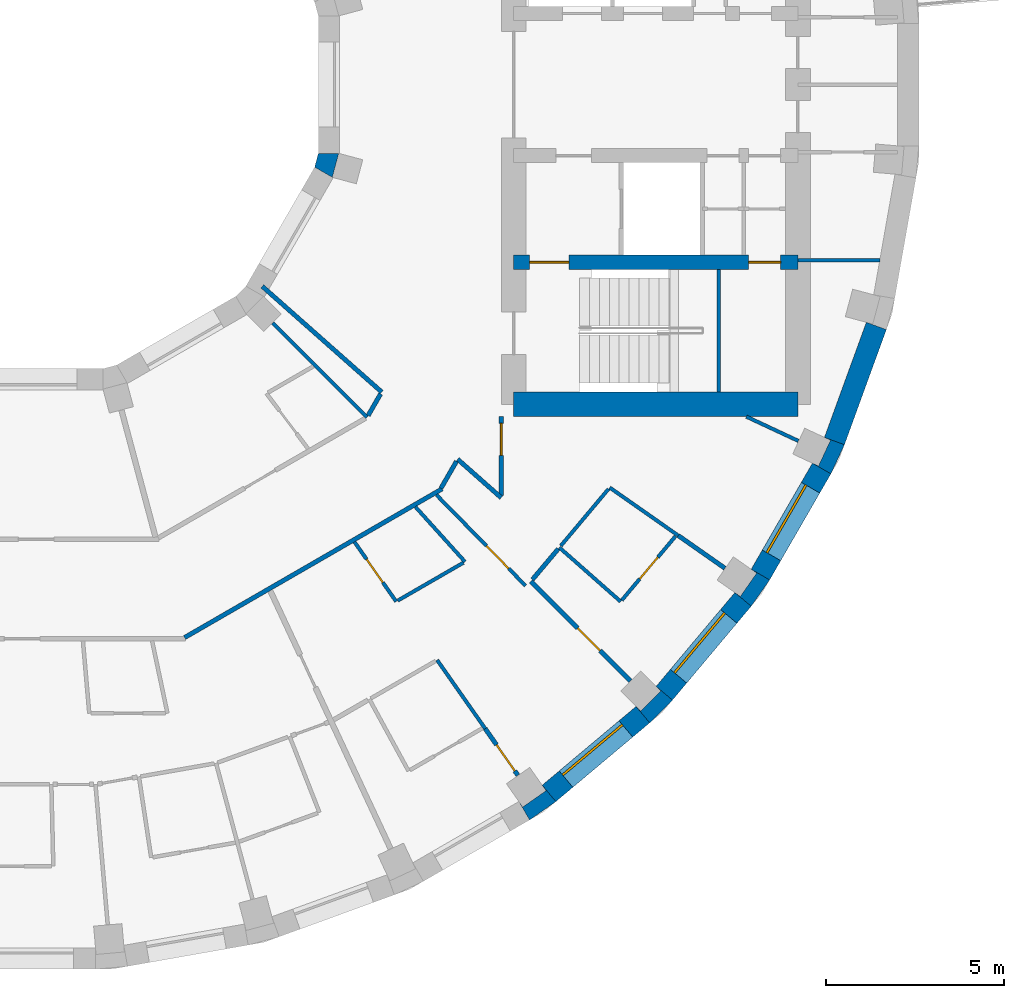
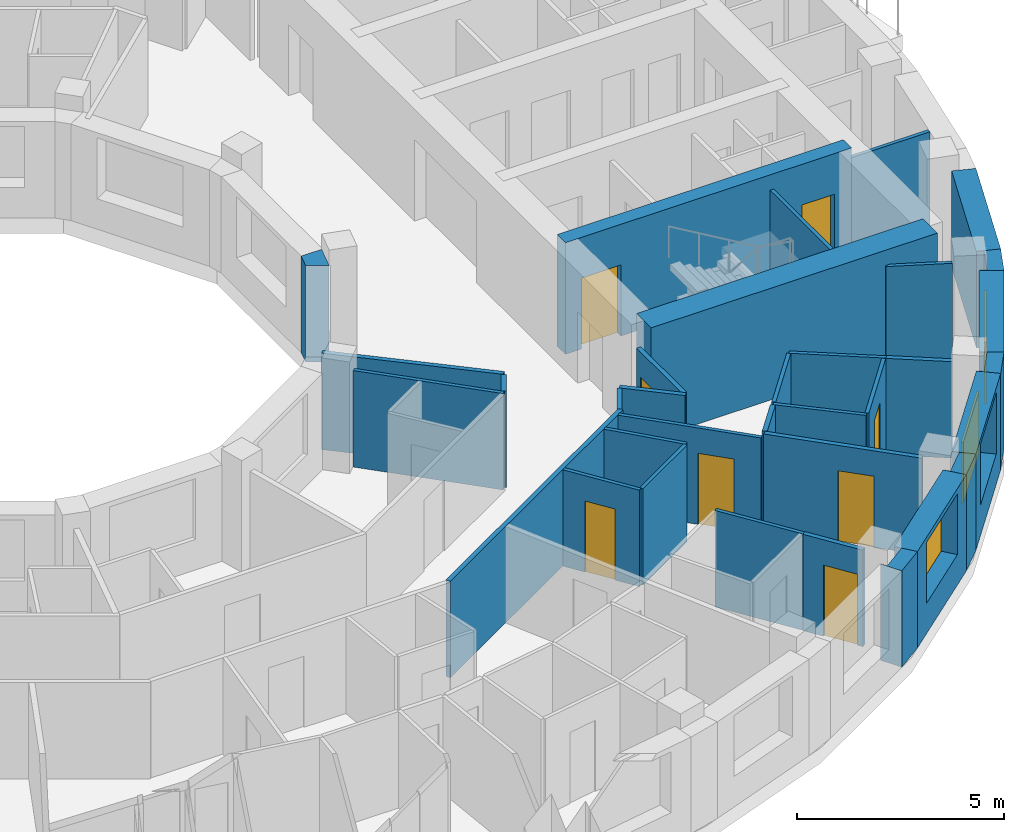
# One storey, part 8 of 15: 34 walls, 8 doors, 3 windows, 11 openings.
"""IFC4 building model written with IfcOpenShell, lengths in metres."""

from ifc_helpers import new_model, si_unit, direction, frame, frame_2d, origin, place, context, subcontext, project, spatial, polyline, rectangle, outline, extrude, material, layer, layer_set, type_object, element, fill, save


model = new_model("IFC4")

# Units and contexts
model_context = context("Model", 3, precision=1e-05, world=origin(), true_north=direction((0.0, 1.0)))
body_context = subcontext(model_context, "Body", "Model", "MODEL_VIEW")
ifc_project = project(units=[si_unit("LENGTHUNIT", "METRE"), si_unit("AREAUNIT", "SQUARE_METRE"), si_unit("VOLUMEUNIT", "CUBIC_METRE"), si_unit("PLANEANGLEUNIT", "RADIAN"), si_unit("MASSUNIT", "GRAM", prefix="KILO")], contexts=[model_context])

# Site, building, storey
site_placement = place(None, origin())
site = spatial("IfcSite", under=ifc_project, at=site_placement, CompositionType="ELEMENT")
building_placement = place(site_placement, origin())
building = spatial("IfcBuilding", under=site, at=building_placement, Name="Saqina Gate Tower", CompositionType="ELEMENT")
storey_placement = place(building_placement, frame((0.0, 0.0, 190.5)))
storey = spatial("IfcBuildingStorey", under=building, at=storey_placement, Name="L54", CompositionType="ELEMENT", Elevation=190.5)

# Walls
ifc_material_1 = material(Name="Brick masonry (buff)", Category="masonry")
wall_type_1 = type_object("IfcWallType", Name="BRICK PIER COPING BUFF", PredefinedType="SOLIDWALL", material=ifc_material_1)
wall_1_placement = place(storey_placement, origin())
element("IfcWall", 1, at=wall_1_placement, inside=storey, type_object=wall_type_1, Name="Pier cap L54 column 31", PredefinedType="SOLIDWALL", context=body_context, shape_type="SweptSolid", body=[
    extrude(outline(polyline([(13.9462890625, -20.705810546875), (14.687255859375, -20.18701171875), (14.301513671875, -19.727294921875), (14.408935546875, -19.880859375), (13.753662109375, -20.339599609375), (13.646240234375, -20.186279296875), (13.9462890625, -20.705810546875)])), origin(), (0.0, 0.0, 1.0), 2.85009765625),
])
wall_2_placement = place(storey_placement, origin())
element("IfcWall", 2, at=wall_2_placement, inside=storey, type_object=wall_type_1, Name="Pier cap L54 column 32", PredefinedType="SOLIDWALL", context=body_context, shape_type="SweptSolid", body=[
    extrude(outline(polyline([(17.969482421875, -17.329833984375), (17.510009765625, -16.944091796875), (17.642333984375, -17.07666015625), (17.07666015625, -17.642333984375), (16.944091796875, -17.510009765625), (17.329833984375, -17.969482421875), (17.969482421875, -17.329833984375)])), origin(), (0.0, 0.0, 1.0), 2.85009765625),
])
wall_3_placement = place(storey_placement, origin())
element("IfcWall", 3, at=wall_3_placement, inside=storey, type_object=wall_type_1, Name="Pier cap L54 column 33", PredefinedType="SOLIDWALL", context=body_context, shape_type="SweptSolid", body=[
    extrude(outline(polyline([(20.18701171875, -14.687255859375), (20.705810546875, -13.9462890625), (20.186279296875, -13.646240234375), (20.339599609375, -13.753662109375), (19.880859375, -14.408935546875), (19.727294921875, -14.301513671875), (20.18701171875, -14.687255859375)])), origin(), (0.0, 0.0, 1.0), 2.85009765625),
])
wall_4_placement = place(storey_placement, origin())
element("IfcWall", 4, at=wall_4_placement, inside=storey, type_object=wall_type_1, Name="Pier cap L54 column 34", PredefinedType="SOLIDWALL", context=body_context, shape_type="SweptSolid", body=[
    extrude(outline(polyline([(22.81298828125, -10.138916015625), (22.249267578125, -9.93359375), (22.4189453125, -10.0126953125), (22.080810546875, -10.73779296875), (21.9111328125, -10.65869140625), (22.4306640625, -10.958740234375), (22.81298828125, -10.138916015625)])), origin(), (0.0, 0.0, 1.0), 2.85009765625),
])
ifc_material_2 = material(Name="Gypsum board on steel studs", Category="steel")
ifc_layer_1 = layer(ifc_material_2, 0.10009765625)
ifc_layer_set_1 = layer_set([ifc_layer_1], Name="CORE PARTITION")
wall_type_2 = type_object("IfcWallType", Name="CORE PARTITION", PredefinedType="PARTITIONING", material=ifc_layer_set_1)
wall_5_placement = place(storey_placement, frame((21.5, -4.949951171875, 0.0), z_axis=(0.0, 0.0, 1.0), x_axis=(1.0, 0.0, 0.0)))
element("IfcWall", 5, at=wall_5_placement, inside=storey, type_object=wall_type_2, Name="L54-CP-E03", PredefinedType="PARTITIONING", context=body_context, shape_type="SweptSolid", body=[
    extrude(rectangle(XDim=2.306884765625, YDim=0.10009765625, at=frame_2d((1.1533203125, 0.0))), origin(), (0.0, 0.0, 1.0), 2.85009765625),
])

# Wall, opening, window
ifc_material_3 = material(Name="Brick masonry (buff)", Category="masonry")
ifc_layer_2 = layer(ifc_material_3, 0.60009765625)
ifc_layer_set_2 = layer_set([ifc_layer_2], Name="FW-BRICK-BUFF")
wall_type_3 = type_object("IfcWallType", Name="FW-BRICK-BUFF", PredefinedType="SOLIDWALL", material=ifc_layer_set_2)
wall_6_placement = place(storey_placement, frame((14.494384765625, -19.95703125, 0.0), z_axis=(0.0, 0.0, 1.0), x_axis=(0.766058884809, 0.642770398358, 0.0)))
wall_6 = element("IfcWall", 6, at=wall_6_placement, inside=storey, type_object=wall_type_3, Name="Facade wall L54 facet 31", PredefinedType="SOLIDWALL", context=body_context, shape_type="SweptSolid", body=[
    extrude(rectangle(XDim=3.449462890625, YDim=0.60009765625, at=frame_2d((1.724609375, 0.0))), origin(), (0.0, 0.0, 1.0), 2.85009765625),
])
opening_1_placement = place(wall_6_placement, frame((0.625, 0.0, 0.89990234375)))
opening_1 = element("IfcOpeningElement", 7, at=opening_1_placement, cuts=wall_6, Name="Opening G16-W20", PredefinedType="OPENING", context=body_context, shape_type="SweptSolid", body=[
    extrude(rectangle(XDim=2.199951171875, YDim=1.800048828125, at=frame_2d((1.10009765625, 0.89990234375))), frame((0.0, 0.31201171875, 0.0), z_axis=(0.0, -1.0, 0.0), x_axis=(1.0, 0.0, 0.0)), (0.0, 0.0, 1.0), 0.6240234375),
])
ifc_material_4 = material(Name="Aluminium glazing", Category="aluminium")
window_type = type_object("IfcWindowType", Name="WN-C", PartitioningType="SINGLE_PANEL", PredefinedType="WINDOW", material=ifc_material_4)
window_1_placement = place(opening_1_placement, origin())
window_1 = element("IfcWindow", 8, at=window_1_placement, inside=storey, type_object=window_type, Name="Window L54 facet 31", OverallHeight=1.800048828125, OverallWidth=2.199951171875, PartitioningType="SINGLE_PANEL", PredefinedType="WINDOW", context=body_context, shape_type="SweptSolid", body=[
    extrude(rectangle(XDim=2.199951171875, YDim=1.800048828125, at=frame_2d((1.10009765625, 0.89990234375))), frame((0.0, 0.179931640625, 0.0), z_axis=(0.0, -1.0, 0.0), x_axis=(1.0, 0.0, 0.0)), (0.0, 0.0, 1.0), 0.06005859375),
])
fill(opening_1, window_1)

wall_7_placement = place(storey_placement, frame((17.73974609375, -17.136962890625, 0.0), z_axis=(0.0, 0.0, 1.0), x_axis=(0.642770398358, 0.766058884809, 0.0)))
wall_7 = element("IfcWall", 9, at=wall_7_placement, inside=storey, type_object=wall_type_3, Name="Facade wall L54 facet 32", PredefinedType="SOLIDWALL", context=body_context, shape_type="SweptSolid", body=[
    extrude(rectangle(XDim=3.449462890625, YDim=0.60009765625, at=frame_2d((1.724609375, 0.0))), origin(), (0.0, 0.0, 1.0), 2.85009765625),
])
opening_2_placement = place(wall_7_placement, frame((0.625, 0.0, 0.89990234375)))
opening_2 = element("IfcOpeningElement", 10, at=opening_2_placement, cuts=wall_7, Name="Opening G16-W21", PredefinedType="OPENING", context=body_context, shape_type="SweptSolid", body=[
    extrude(rectangle(XDim=2.199951171875, YDim=1.800048828125, at=frame_2d((1.10009765625, 0.89990234375))), frame((0.0, 0.31201171875, 0.0), z_axis=(0.0, -1.0, 0.0), x_axis=(1.0, 0.0, 0.0)), (0.0, 0.0, 1.0), 0.6240234375),
])
window_2_placement = place(opening_2_placement, origin())
window_2 = element("IfcWindow", 11, at=window_2_placement, inside=storey, type_object=window_type, Name="Window L54 facet 32", OverallHeight=1.800048828125, OverallWidth=2.199951171875, PartitioningType="SINGLE_PANEL", PredefinedType="WINDOW", context=body_context, shape_type="SweptSolid", body=[
    extrude(rectangle(XDim=2.199951171875, YDim=1.800048828125, at=frame_2d((1.10009765625, 0.89990234375))), frame((0.0, 0.179931640625, 0.0), z_axis=(0.0, -1.0, 0.0), x_axis=(1.0, 0.0, 0.0)), (0.0, 0.0, 1.0), 0.06005859375),
])
fill(opening_2, window_2)

wall_8_placement = place(storey_placement, frame((20.446044921875, -13.796142578125, 0.0), z_axis=(0.0, 0.0, 1.0), x_axis=(0.499998129301, 0.86602648383, 0.0)))
wall_8 = element("IfcWall", 12, at=wall_8_placement, inside=storey, type_object=wall_type_3, Name="Facade wall L54 facet 33", PredefinedType="SOLIDWALL", context=body_context, shape_type="SweptSolid", body=[
    extrude(rectangle(XDim=3.44970703125, YDim=0.60009765625, at=frame_2d((1.724853515625, 0.0))), origin(), (0.0, 0.0, 1.0), 2.85009765625),
])
opening_3_placement = place(wall_8_placement, frame((0.625, 0.0, 0.89990234375)))
opening_3 = element("IfcOpeningElement", 13, at=opening_3_placement, cuts=wall_8, Name="Opening G16-W22", PredefinedType="OPENING", context=body_context, shape_type="SweptSolid", body=[
    extrude(rectangle(XDim=2.199951171875, YDim=1.800048828125, at=frame_2d((1.10009765625, 0.89990234375))), frame((0.0, 0.31201171875, 0.0), z_axis=(0.0, -1.0, 0.0), x_axis=(1.0, 0.0, 0.0)), (0.0, 0.0, 1.0), 0.6240234375),
])
window_3_placement = place(opening_3_placement, origin())
window_3 = element("IfcWindow", 14, at=window_3_placement, inside=storey, type_object=window_type, Name="Window L54 facet 33", OverallHeight=1.800048828125, OverallWidth=2.199951171875, PartitioningType="SINGLE_PANEL", PredefinedType="WINDOW", context=body_context, shape_type="SweptSolid", body=[
    extrude(rectangle(XDim=2.199951171875, YDim=1.800048828125, at=frame_2d((1.10009765625, 0.89990234375))), frame((0.0, 0.179931640625, 0.0), z_axis=(0.0, -1.0, 0.0), x_axis=(1.0, 0.0, 0.0)), (0.0, 0.0, 1.0), 0.06005859375),
])
fill(opening_3, window_3)

# Walls
ifc_material_5 = material(Name="Glazed ceramic tile (white)", Category="ceramic")
ifc_layer_3 = layer(ifc_material_5, 0.60009765625)
ifc_layer_set_3 = layer_set([ifc_layer_3], Name="FW-TILE-WH")
wall_type_4 = type_object("IfcWallType", Name="FW-TILE-WH", PredefinedType="SOLIDWALL", material=ifc_layer_set_3)
wall_9_placement = place(storey_placement, frame((22.531005859375, -10.0361328125, 0.0), z_axis=(0.0, 0.0, 1.0), x_axis=(0.342032843455, 0.93968799822, 0.0)))
element("IfcWall", 15, at=wall_9_placement, inside=storey, type_object=wall_type_4, Name="Facade wall L54 facet 34", PredefinedType="SOLIDWALL", context=body_context, shape_type="SweptSolid", body=[
    extrude(rectangle(XDim=3.44970703125, YDim=0.60009765625, at=frame_2d((1.724853515625, 0.0))), origin(), (0.0, 0.0, 1.0), 2.85009765625),
])
ifc_material_6 = material(Name="Gypsum board on steel studs, 100 mm", Category="steel")
ifc_layer_4 = layer(ifc_material_6, 0.10009765625)
ifc_layer_set_4 = layer_set([ifc_layer_4], Name="PARTITION 100")
wall_type_5 = type_object("IfcWallType", Name="PARTITION 100", PredefinedType="PARTITIONING", material=ifc_layer_set_4)
wall_10_placement = place(storey_placement, frame((11.344970703125, -16.202880859375, 0.0), z_axis=(0.0, 0.0, 1.0), x_axis=(0.573823443789, -0.818979032307, 0.0)))
element("IfcWall", 16, at=wall_10_placement, inside=storey, type_object=wall_type_5, Name="PARTITION PW3-17", PredefinedType="PARTITIONING", context=body_context, shape_type="SweptSolid", body=[
    extrude(rectangle(XDim=2.359130859375, YDim=0.10009765625, at=frame_2d((1.1796875, 0.0))), origin(), (0.0, 0.0, 1.0), 2.85009765625),
])

# Wall, opening, door
wall_11_placement = place(storey_placement, frame((9.018798828125, -12.8798828125, 0.0), z_axis=(0.0, 0.0, 1.0), x_axis=(0.573550536535, -0.819170178925, 0.0)))
wall_11 = element("IfcWall", 17, at=wall_11_placement, inside=storey, type_object=wall_type_5, Name="PARTITION PW3-19", PredefinedType="PARTITIONING", context=body_context, shape_type="SweptSolid", body=[
    extrude(rectangle(XDim=2.043701171875, YDim=0.10009765625, at=frame_2d((1.02197265625, 0.0))), origin(), (0.0, 0.0, 1.0), 2.85009765625),
])
opening_4_placement = place(wall_11_placement, frame((0.589599609375, 0.0, 0.0)))
opening_4 = element("IfcOpeningElement", 18, at=opening_4_placement, cuts=wall_11, Name="Opening G16-D56", PredefinedType="OPENING", context=body_context, shape_type="SweptSolid", body=[
    extrude(rectangle(XDim=0.800048828125, YDim=2.10009765625, at=frame_2d((0.39990234375, 1.050048828125))), frame((0.0, 0.06201171875, 0.0), z_axis=(0.0, -1.0, 0.0), x_axis=(1.0, 0.0, 0.0)), (0.0, 0.0, 1.0), 0.1240234375),
])
ifc_material_7 = material(Name="Timber door leaf, 800 mm", Category="wood")
door_type_1 = type_object("IfcDoorType", Name="DOOR 800 TIMBER", OperationType="SINGLE_SWING_LEFT", PredefinedType="DOOR", material=ifc_material_7)
door_1_placement = place(opening_4_placement, frame((0.800048828125, 0.0, 0.0), z_axis=(0.0, 0.0, 1.0), x_axis=(-1.0, 0.0, 0.0)))
door_1 = element("IfcDoor", 19, at=door_1_placement, inside=storey, type_object=door_type_1, Name="DOOR G16-D56", OperationType="SINGLE_SWING_RIGHT", OverallHeight=2.10009765625, OverallWidth=0.800048828125, PredefinedType="DOOR", context=body_context, shape_type="SweptSolid", body=[
    extrude(rectangle(XDim=0.800048828125, YDim=2.10009765625, at=frame_2d((0.39990234375, 1.050048828125))), frame((0.0, 0.02490234375, 0.0), z_axis=(0.0, -1.0, 0.0), x_axis=(1.0, 0.0, 0.0)), (0.0, 0.0, 1.0), 0.050048828125),
])
fill(opening_4, door_1)

# Wall
wall_12_placement = place(storey_placement, frame((10.732177734375, -11.8876953125, 0.0), z_axis=(0.0, 0.0, 1.0), x_axis=(0.670051109138, -0.742314967613, 0.0)))
element("IfcWall", 20, at=wall_12_placement, inside=storey, type_object=wall_type_5, Name="PARTITION PW3-25", PredefinedType="PARTITIONING", context=body_context, shape_type="SweptSolid", body=[
    extrude(rectangle(XDim=2.08447265625, YDim=0.10009765625, at=frame_2d((1.042236328125, 0.0))), origin(), (0.0, 0.0, 1.0), 2.85009765625),
])

# Wall, opening, door
wall_13_placement = place(storey_placement, frame((11.320556640625, -11.54736328125, 0.0), z_axis=(0.0, 0.0, 1.0), x_axis=(0.700209333058, -0.713937595241, 0.0)))
wall_13 = element("IfcWall", 21, at=wall_13_placement, inside=storey, type_object=wall_type_5, Name="PARTITION PW3-26", PredefinedType="PARTITIONING", context=body_context, shape_type="SweptSolid", body=[
    extrude(rectangle(XDim=3.59228515625, YDim=0.10009765625, at=frame_2d((1.796142578125, 0.0))), origin(), (0.0, 0.0, 1.0), 2.85009765625),
])
opening_5_placement = place(wall_13_placement, frame((2.01416015625, 0.0, 0.0)))
opening_5 = element("IfcOpeningElement", 22, at=opening_5_placement, cuts=wall_13, Name="Opening G16-D59", PredefinedType="OPENING", context=body_context, shape_type="SweptSolid", body=[
    extrude(rectangle(XDim=0.89990234375, YDim=2.10009765625, at=frame_2d((0.449951171875, 1.050048828125))), frame((0.0, 0.06201171875, 0.0), z_axis=(0.0, -1.0, 0.0), x_axis=(1.0, 0.0, 0.0)), (0.0, 0.0, 1.0), 0.1240234375),
])
ifc_material_8 = material(Name="Timber door leaf, 900 mm", Category="wood")
door_type_2 = type_object("IfcDoorType", Name="DOOR 900 TIMBER", OperationType="SINGLE_SWING_LEFT", PredefinedType="DOOR", material=ifc_material_8)
door_2_placement = place(opening_5_placement, frame((0.89990234375, 0.0, 0.0), z_axis=(0.0, 0.0, 1.0), x_axis=(-1.0, 0.0, 0.0)))
door_2 = element("IfcDoor", 23, at=door_2_placement, inside=storey, type_object=door_type_2, Name="DOOR G16-D59", OperationType="SINGLE_SWING_RIGHT", OverallHeight=2.10009765625, OverallWidth=0.89990234375, PredefinedType="DOOR", context=body_context, shape_type="SweptSolid", body=[
    extrude(rectangle(XDim=0.89990234375, YDim=2.10009765625, at=frame_2d((0.449951171875, 1.050048828125))), frame((0.0, 0.02490234375, 0.0), z_axis=(0.0, -1.0, 0.0), x_axis=(1.0, 0.0, 0.0)), (0.0, 0.0, 1.0), 0.050048828125),
])
fill(opening_5, door_2)

# Walls
wall_14_placement = place(storey_placement, frame((6.7119140625, -6.7119140625, 0.0), z_axis=(0.0, 0.0, 1.0), x_axis=(0.707106781187, -0.707106781187, 0.0)))
element("IfcWall", 24, at=wall_14_placement, inside=storey, type_object=wall_type_5, Name="PARTITION PW3-28", PredefinedType="PARTITIONING", context=body_context, shape_type="SweptSolid", body=[
    extrude(rectangle(XDim=3.75927734375, YDim=0.10009765625, at=frame_2d((1.879638671875, 0.0))), origin(), (0.0, 0.0, 1.0), 2.85009765625),
])
wall_15_placement = place(storey_placement, frame((14.785888671875, -13.033935546875, 0.0), z_axis=(0.0, 0.0, 1.0), x_axis=(0.750060726962, -0.661368963491, 0.0)))
element("IfcWall", 25, at=wall_15_placement, inside=storey, type_object=wall_type_5, Name="PARTITION PW3-30", PredefinedType="PARTITIONING", context=body_context, shape_type="SweptSolid", body=[
    extrude(rectangle(XDim=2.30126953125, YDim=0.10009765625, at=frame_2d((1.150634765625, 0.0))), origin(), (0.0, 0.0, 1.0), 2.85009765625),
])
wall_16_placement = place(storey_placement, frame((16.202392578125, -11.345703125, 0.0), z_axis=(0.0, 0.0, 1.0), x_axis=(0.81919302467, -0.573517905851, 0.0)))
element("IfcWall", 26, at=wall_16_placement, inside=storey, type_object=wall_type_5, Name="PARTITION PW3-36", PredefinedType="PARTITIONING", context=body_context, shape_type="SweptSolid", body=[
    extrude(rectangle(XDim=2.359130859375, YDim=0.10009765625, at=frame_2d((1.1796875, 0.0))), origin(), (0.0, 0.0, 1.0), 2.85009765625),
])
wall_17_placement = place(storey_placement, frame((20.052978515625, -9.35009765625, 0.0), z_axis=(0.0, 0.0, 1.0), x_axis=(0.906055596822, -0.423158664648, 0.0)))
element("IfcWall", 27, at=wall_17_placement, inside=storey, type_object=wall_type_5, Name="PARTITION PW3-42", PredefinedType="PARTITIONING", context=body_context, shape_type="SweptSolid", body=[
    extrude(rectangle(XDim=1.6142578125, YDim=0.10009765625, at=frame_2d((0.80712890625, 0.0))), origin(), (0.0, 0.0, 1.0), 2.85009765625),
])
wall_18_placement = place(storey_placement, frame((10.236083984375, -14.528076171875, 0.0), z_axis=(0.0, 0.0, 1.0), x_axis=(0.865995020583, 0.500052621557, 0.0)))
element("IfcWall", 28, at=wall_18_placement, inside=storey, type_object=wall_type_5, Name="PARTITION PW3-69", PredefinedType="PARTITIONING", context=body_context, shape_type="SweptSolid", body=[
    extrude(rectangle(XDim=2.133544921875, YDim=0.10009765625, at=frame_2d((1.06689453125, 0.0))), origin(), (0.0, 0.0, 1.0), 2.85009765625),
])

# Wall, opening, door
wall_19_placement = place(storey_placement, frame((16.544189453125, -14.517578125, 0.0), z_axis=(0.0, 0.0, 1.0), x_axis=(0.642675237257, 0.76613872074, 0.0)))
wall_19 = element("IfcWall", 29, at=wall_19_placement, inside=storey, type_object=wall_type_5, Name="PARTITION PW3-81", PredefinedType="PARTITIONING", context=body_context, shape_type="SweptSolid", body=[
    extrude(rectangle(XDim=2.34912109375, YDim=0.10009765625, at=frame_2d((1.174560546875, 0.0))), origin(), (0.0, 0.0, 1.0), 2.85009765625),
])
opening_6_placement = place(wall_19_placement, frame((0.78076171875, 0.0, 0.0)))
opening_6 = element("IfcOpeningElement", 30, at=opening_6_placement, cuts=wall_19, Name="Opening G16-D61", PredefinedType="OPENING", context=body_context, shape_type="SweptSolid", body=[
    extrude(rectangle(XDim=0.800048828125, YDim=2.10009765625, at=frame_2d((0.39990234375, 1.050048828125))), frame((0.0, 0.06201171875, 0.0), z_axis=(0.0, -1.0, 0.0), x_axis=(1.0, 0.0, 0.0)), (0.0, 0.0, 1.0), 0.1240234375),
])
door_3_placement = place(opening_6_placement, frame((0.800048828125, 0.0, 0.0), z_axis=(0.0, 0.0, 1.0), x_axis=(-1.0, 0.0, 0.0)))
door_3 = element("IfcDoor", 31, at=door_3_placement, inside=storey, type_object=door_type_1, Name="DOOR G16-D61", OperationType="SINGLE_SWING_LEFT", OverallHeight=2.10009765625, OverallWidth=0.800048828125, PredefinedType="DOOR", context=body_context, shape_type="SweptSolid", body=[
    extrude(rectangle(XDim=0.800048828125, YDim=2.10009765625, at=frame_2d((0.39990234375, 1.050048828125))), frame((0.0, 0.02490234375, 0.0), z_axis=(0.0, -1.0, 0.0), x_axis=(1.0, 0.0, 0.0)), (0.0, 0.0, 1.0), 0.050048828125),
])
fill(opening_6, door_3)

# Wall
wall_20_placement = place(storey_placement, frame((14.826171875, -12.986083984375, 0.0), z_axis=(0.0, 0.0, 1.0), x_axis=(0.642720670629, 0.766100606674, 0.0)))
element("IfcWall", 32, at=wall_20_placement, inside=storey, type_object=wall_type_5, Name="PARTITION PW3-82", PredefinedType="PARTITIONING", context=body_context, shape_type="SweptSolid", body=[
    extrude(rectangle(XDim=2.089599609375, YDim=0.10009765625, at=frame_2d((1.044921875, 0.0))), origin(), (0.0, 0.0, 1.0), 2.85009765625),
])

# Wall, opening, door
ifc_material_9 = material(Name="Gypsum board on steel studs, 125 mm, fire rated", Category="steel")
ifc_layer_5 = layer(ifc_material_9, 0.125)
ifc_layer_set_5 = layer_set([ifc_layer_5], Name="PARTITION EI 30 125")
wall_type_6 = type_object("IfcWallType", Name="PARTITION EI 30 125", PredefinedType="PARTITIONING", material=ifc_layer_set_5)
wall_21_placement = place(storey_placement, frame((12.69873046875, -18.135009765625, 0.0), z_axis=(0.0, 0.0, 1.0), x_axis=(0.57352374907, -0.819188933795, 0.0)))
wall_21 = element("IfcWall", 33, at=wall_21_placement, inside=storey, type_object=wall_type_6, Name="PARTITION PW1-05", PredefinedType="PARTITIONING", context=body_context, shape_type="SweptSolid", body=[
    extrude(rectangle(XDim=1.60107421875, YDim=0.125, at=frame_2d((0.800537109375, 0.0))), origin(), (0.0, 0.0, 1.0), 2.85009765625),
])
opening_7_placement = place(wall_21_placement, frame((0.552734375, 0.0, 0.0)))
opening_7 = element("IfcOpeningElement", 34, at=opening_7_placement, cuts=wall_21, Name="Opening G16-D57", PredefinedType="OPENING", context=body_context, shape_type="SweptSolid", body=[
    extrude(rectangle(XDim=0.89990234375, YDim=2.10009765625, at=frame_2d((0.449951171875, 1.050048828125))), frame((0.0, 0.074462890625, 0.0), z_axis=(0.0, -1.0, 0.0), x_axis=(1.0, 0.0, 0.0)), (0.0, 0.0, 1.0), 0.14892578125),
])
ifc_material_10 = material(Name="Fire door leaf EI 30, 900 mm")
door_type_3 = type_object("IfcDoorType", Name="DOOR 900 EI 30", OperationType="SINGLE_SWING_LEFT", PredefinedType="DOOR", material=ifc_material_10)
door_4_placement = place(opening_7_placement, origin())
door_4 = element("IfcDoor", 35, at=door_4_placement, inside=storey, type_object=door_type_3, Name="DOOR G16-D57", OperationType="SINGLE_SWING_RIGHT", OverallHeight=2.10009765625, OverallWidth=0.89990234375, PredefinedType="DOOR", context=body_context, shape_type="SweptSolid", body=[
    extrude(rectangle(XDim=0.89990234375, YDim=2.10009765625, at=frame_2d((0.449951171875, 1.050048828125))), frame((0.0, 0.02490234375, 0.0), z_axis=(0.0, -1.0, 0.0), x_axis=(1.0, 0.0, 0.0)), (0.0, 0.0, 1.0), 0.050048828125),
])
fill(opening_7, door_4)

wall_22_placement = place(storey_placement, frame((13.987060546875, -13.987060546875, 0.0), z_axis=(0.0, 0.0, 1.0), x_axis=(0.707106781187, -0.707106781187, 0.0)))
wall_22 = element("IfcWall", 36, at=wall_22_placement, inside=storey, type_object=wall_type_6, Name="PARTITION PW1-06", PredefinedType="PARTITIONING", context=body_context, shape_type="SweptSolid", body=[
    extrude(rectangle(XDim=3.959228515625, YDim=0.125, at=frame_2d((1.9794921875, 0.0))), origin(), (0.0, 0.0, 1.0), 2.85009765625),
])
opening_8_placement = place(wall_22_placement, frame((1.858642578125, 0.0, 0.0)))
opening_8 = element("IfcOpeningElement", 37, at=opening_8_placement, cuts=wall_22, Name="Opening G16-D60", PredefinedType="OPENING", context=body_context, shape_type="SweptSolid", body=[
    extrude(rectangle(XDim=0.89990234375, YDim=2.10009765625, at=frame_2d((0.449951171875, 1.050048828125))), frame((0.0, 0.074462890625, 0.0), z_axis=(0.0, -1.0, 0.0), x_axis=(1.0, 0.0, 0.0)), (0.0, 0.0, 1.0), 0.14892578125),
])
door_5_placement = place(opening_8_placement, frame((0.89990234375, 0.0, 0.0), z_axis=(0.0, 0.0, 1.0), x_axis=(-1.0, 0.0, 0.0)))
door_5 = element("IfcDoor", 38, at=door_5_placement, inside=storey, type_object=door_type_3, Name="DOOR G16-D60", OperationType="SINGLE_SWING_LEFT", OverallHeight=2.10009765625, OverallWidth=0.89990234375, PredefinedType="DOOR", context=body_context, shape_type="SweptSolid", body=[
    extrude(rectangle(XDim=0.89990234375, YDim=2.10009765625, at=frame_2d((0.449951171875, 1.050048828125))), frame((0.0, 0.02490234375, 0.0), z_axis=(0.0, -1.0, 0.0), x_axis=(1.0, 0.0, 0.0)), (0.0, 0.0, 1.0), 0.050048828125),
])
fill(opening_8, door_5)

# Walls
wall_23_placement = place(storey_placement, frame((11.923095703125, -10.549072265625, 0.0), z_axis=(0.0, 0.0, 1.0), x_axis=(0.749253207289, -0.662283648724, 0.0)))
element("IfcWall", 39, at=wall_23_placement, inside=storey, type_object=wall_type_6, Name="PARTITION PW1-07", PredefinedType="PARTITIONING", context=body_context, shape_type="SweptSolid", body=[
    extrude(rectangle(XDim=1.6337890625, YDim=0.125, at=frame_2d((0.81689453125, 0.0))), origin(), (0.0, 0.0, 1.0), 2.85009765625),
])
wall_24_placement = place(storey_placement, frame((6.419921875, -5.679931640625, 0.0), z_axis=(0.0, 0.0, 1.0), x_axis=(0.748958163245, -0.662617287511, 0.0)))
element("IfcWall", 40, at=wall_24_placement, inside=storey, type_object=wall_type_6, Name="PARTITION PW1-10", PredefinedType="PARTITIONING", context=body_context, shape_type="SweptSolid", body=[
    extrude(rectangle(XDim=4.490234375, YDim=0.125, at=frame_2d((2.2451171875, 0.0))), origin(), (0.0, 0.0, 1.0), 2.85009765625),
])
wall_25_placement = place(storey_placement, frame((18.135009765625, -12.69873046875, 0.0), z_axis=(0.0, 0.0, 1.0), x_axis=(0.819188933795, -0.57352374907, 0.0)))
element("IfcWall", 41, at=wall_25_placement, inside=storey, type_object=wall_type_6, Name="PARTITION PW1-12", PredefinedType="PARTITIONING", context=body_context, shape_type="SweptSolid", body=[
    extrude(rectangle(XDim=1.60107421875, YDim=0.125, at=frame_2d((0.800537109375, 0.0))), origin(), (0.0, 0.0, 1.0), 2.85009765625),
])
wall_26_placement = place(storey_placement, frame((4.234130859375, -15.56884765625, 0.0), z_axis=(0.0, 0.0, 1.0), x_axis=(0.866024799292, 0.50000104701, 0.0)))
element("IfcWall", 42, at=wall_26_placement, inside=storey, type_object=wall_type_6, Name="PARTITION PW1-33", PredefinedType="PARTITIONING", context=body_context, shape_type="SweptSolid", body=[
    extrude(rectangle(XDim=8.36962890625, YDim=0.125, at=frame_2d((4.184814453125, 0.0))), origin(), (0.0, 0.0, 1.0), 2.85009765625),
])
wall_27_placement = place(storey_placement, frame((14.026123046875, -13.9365234375, 0.0), z_axis=(0.0, 0.0, 1.0), x_axis=(0.644129091811, 0.764916801412, 0.0)))
element("IfcWall", 43, at=wall_27_placement, inside=storey, type_object=wall_type_6, Name="PARTITION PW1-43", PredefinedType="PARTITIONING", context=body_context, shape_type="SweptSolid", body=[
    extrude(rectangle(XDim=1.1298828125, YDim=0.125, at=frame_2d((0.56494140625, 0.0))), origin(), (0.0, 0.0, 1.0), 2.85009765625),
])
wall_28_placement = place(storey_placement, frame((11.451171875, -11.365966796875, 0.0), z_axis=(0.0, 0.0, 1.0), x_axis=(0.500018690203, 0.866014612722, 0.0)))
element("IfcWall", 44, at=wall_28_placement, inside=storey, type_object=wall_type_6, Name="PARTITION PW1-46", PredefinedType="PARTITIONING", context=body_context, shape_type="SweptSolid", body=[
    extrude(rectangle(XDim=0.8798828125, YDim=0.125, at=frame_2d((0.43994140625, 0.0))), origin(), (0.0, 0.0, 1.0), 2.85009765625),
])
wall_29_placement = place(storey_placement, frame((9.4013671875, -9.31591796875, 0.0), z_axis=(0.0, 0.0, 1.0), x_axis=(0.500074377092, 0.865982457891, 0.0)))
element("IfcWall", 45, at=wall_29_placement, inside=storey, type_object=wall_type_6, Name="PARTITION PW1-47", PredefinedType="PARTITIONING", context=body_context, shape_type="SweptSolid", body=[
    extrude(rectangle(XDim=0.70068359375, YDim=0.125, at=frame_2d((0.350341796875, 0.0))), origin(), (0.0, 0.0, 1.0), 2.85009765625),
])

# Wall, opening, door
wall_30_placement = place(storey_placement, frame((13.14990234375, -11.5673828125, 0.0), z_axis=(0.0, 0.0, 1.0), x_axis=(0.0, 1.0, 0.0)))
wall_30 = element("IfcWall", 46, at=wall_30_placement, inside=storey, type_object=wall_type_6, Name="PARTITION PW1-50", PredefinedType="PARTITIONING", context=body_context, shape_type="SweptSolid", body=[
    extrude(rectangle(XDim=2.21630859375, YDim=0.125, at=frame_2d((1.108154296875, 0.0))), origin(), (0.0, 0.0, 1.0), 2.85009765625),
])
opening_9_placement = place(wall_30_placement, frame((1.126953125, 0.0, 0.0)))
opening_9 = element("IfcOpeningElement", 47, at=opening_9_placement, cuts=wall_30, Name="Opening G16-D62", PredefinedType="OPENING", context=body_context, shape_type="SweptSolid", body=[
    extrude(rectangle(XDim=0.89990234375, YDim=2.10009765625, at=frame_2d((0.449951171875, 1.050048828125))), frame((0.0, 0.074462890625, 0.0), z_axis=(0.0, -1.0, 0.0), x_axis=(1.0, 0.0, 0.0)), (0.0, 0.0, 1.0), 0.14892578125),
])
door_6_placement = place(opening_9_placement, frame((0.89990234375, 0.0, 0.0), z_axis=(0.0, 0.0, 1.0), x_axis=(-1.0, 0.0, 0.0)))
door_6 = element("IfcDoor", 48, at=door_6_placement, inside=storey, type_object=door_type_3, Name="DOOR G16-D62", OperationType="SINGLE_SWING_LEFT", OverallHeight=2.10009765625, OverallWidth=0.89990234375, PredefinedType="DOOR", context=body_context, shape_type="SweptSolid", body=[
    extrude(rectangle(XDim=0.89990234375, YDim=2.10009765625, at=frame_2d((0.449951171875, 1.050048828125))), frame((0.0, 0.02490234375, 0.0), z_axis=(0.0, -1.0, 0.0), x_axis=(1.0, 0.0, 0.0)), (0.0, 0.0, 1.0), 0.050048828125),
])
fill(opening_9, door_6)

# Wall
ifc_material_11 = material(Name="Autoclaved aerated concrete block", Category="concrete")
ifc_layer_6 = layer(ifc_material_11, 0.10009765625)
ifc_layer_set_6 = layer_set([ifc_layer_6], Name="STAIR ENCLOSURE WALL")
wall_type_7 = type_object("IfcWallType", Name="STAIR ENCLOSURE WALL", PredefinedType="PARTITIONING", material=ifc_layer_set_6)
wall_31_placement = place(storey_placement, frame((19.27001953125, -8.64990234375, 0.0), z_axis=(0.0, 0.0, 1.0), x_axis=(0.0, 1.0, 0.0)))
element("IfcWall", 49, at=wall_31_placement, inside=storey, type_object=wall_type_7, Name="L54-CP-E17", PredefinedType="PARTITIONING", context=body_context, shape_type="SweptSolid", body=[
    extrude(rectangle(XDim=3.449951171875, YDim=0.10009765625, at=frame_2d((1.72509765625, 0.0))), origin(), (0.0, 0.0, 1.0), 2.85009765625),
])

# Wall, openings, doors
ifc_material_12 = material(Name="Concrete C60/75", Category="concrete")
ifc_layer_7 = layer(ifc_material_12, 0.39990234375)
ifc_layer_set_7 = layer_set([ifc_layer_7], Name="Concrete C60/75")
wall_type_8 = type_object("IfcWallType", Name="STR-CORE WALL-C-I", PredefinedType="SHEAR", material=ifc_layer_set_7)
wall_32_placement = place(storey_placement, frame((13.5, -5.0, 0.0), z_axis=(0.0, 0.0, 1.0), x_axis=(1.0, 0.0, 0.0)))
wall_32 = element("IfcWall", 50, at=wall_32_placement, inside=storey, type_object=wall_type_8, Name="CORE WALL L54 E-X2", PredefinedType="SHEAR", context=body_context, shape_type="SweptSolid", body=[
    extrude(rectangle(XDim=8.0, YDim=0.39990234375, at=frame_2d((4.0, 0.0))), origin(), (0.0, 0.0, 1.0), 3.300048828125),
])
opening_10_placement = place(wall_32_placement, frame((6.614990234375, 0.0, 0.0)))
opening_10 = element("IfcOpeningElement", 51, at=opening_10_placement, cuts=wall_32, Name="Opening G16-D104", PredefinedType="OPENING", context=body_context, shape_type="SweptSolid", body=[
    extrude(rectangle(XDim=0.89990234375, YDim=2.10009765625, at=frame_2d((0.449951171875, 1.050048828125))), frame((0.0, 0.2119140625, 0.0), z_axis=(0.0, -1.0, 0.0), x_axis=(1.0, 0.0, 0.0)), (0.0, 0.0, 1.0), 0.423828125),
])
opening_11_placement = place(wall_32_placement, frame((0.449951171875, 0.0, 0.0)))
opening_11 = element("IfcOpeningElement", 52, at=opening_11_placement, cuts=wall_32, Name="Opening G16-D105", PredefinedType="OPENING", context=body_context, shape_type="SweptSolid", body=[
    extrude(rectangle(XDim=1.10009765625, YDim=2.10009765625, at=frame_2d((0.550048828125, 1.050048828125))), frame((0.0, 0.2119140625, 0.0), z_axis=(0.0, -1.0, 0.0), x_axis=(1.0, 0.0, 0.0)), (0.0, 0.0, 1.0), 0.423828125),
])
ifc_material_13 = material(Name="Steel", Category="steel")
door_type_4 = type_object("IfcDoorType", Name="FIRE LOBBY DOOR EI 60 WIDE", OperationType="SINGLE_SWING_LEFT", PredefinedType="DOOR", material=ifc_material_13)
door_7_placement = place(opening_11_placement, frame((1.10009765625, 0.0, 0.0), z_axis=(0.0, 0.0, 1.0), x_axis=(-1.0, 0.0, 0.0)))
door_7 = element("IfcDoor", 53, at=door_7_placement, inside=storey, type_object=door_type_4, Name="L54-CD-E16", OperationType="SINGLE_SWING_RIGHT", OverallHeight=2.10009765625, OverallWidth=1.10009765625, PredefinedType="DOOR", context=body_context, shape_type="SweptSolid", body=[
    extrude(rectangle(XDim=1.10009765625, YDim=2.10009765625, at=frame_2d((0.550048828125, 1.050048828125))), frame((0.0, 0.02490234375, 0.0), z_axis=(0.0, -1.0, 0.0), x_axis=(1.0, 0.0, 0.0)), (0.0, 0.0, 1.0), 0.050048828125),
])
fill(opening_11, door_7)
ifc_material_14 = material(Name="Steel-framed fire door leaf, EI 60", Category="steel")
door_type_5 = type_object("IfcDoorType", Name="SERVICE ROOM DOOR 900", OperationType="SINGLE_SWING_LEFT", PredefinedType="DOOR", material=ifc_material_14)
door_8_placement = place(opening_10_placement, frame((0.89990234375, 0.0, 0.0), z_axis=(0.0, 0.0, 1.0), x_axis=(-1.0, 0.0, 0.0)))
door_8 = element("IfcDoor", 54, at=door_8_placement, inside=storey, type_object=door_type_5, Name="L54-CD-E15", OperationType="SINGLE_SWING_LEFT", OverallHeight=2.10009765625, OverallWidth=0.89990234375, PredefinedType="DOOR", context=body_context, shape_type="SweptSolid", body=[
    extrude(rectangle(XDim=0.89990234375, YDim=2.10009765625, at=frame_2d((0.449951171875, 1.050048828125))), frame((0.0, 0.02490234375, 0.0), z_axis=(0.0, -1.0, 0.0), x_axis=(1.0, 0.0, 0.0)), (0.0, 0.0, 1.0), 0.050048828125),
])
fill(opening_10, door_8)

# Walls
ifc_material_15 = material(Name="Concrete C60/75", Category="concrete")
ifc_layer_8 = layer(ifc_material_15, 0.699951171875)
ifc_layer_set_8 = layer_set([ifc_layer_8], Name="Concrete C60/75")
wall_type_9 = type_object("IfcWallType", Name="STR-CORE WALL-C-O", PredefinedType="SHEAR", material=ifc_layer_set_8)
wall_33_placement = place(storey_placement, frame((13.5, -9.0, 0.0), z_axis=(0.0, 0.0, 1.0), x_axis=(1.0, 0.0, 0.0)))
element("IfcWall", 55, at=wall_33_placement, inside=storey, type_object=wall_type_9, Name="CORE WALL L54 E-SE", PredefinedType="SHEAR", context=body_context, shape_type="SweptSolid", body=[
    extrude(rectangle(XDim=8.0, YDim=0.699951171875, at=frame_2d((4.0, 0.0))), origin(), (0.0, 0.0, 1.0), 3.300048828125),
])
ifc_material_16 = material(Name="Glazed ceramic tile", Category="ceramic")
wall_type_10 = type_object("IfcWallType", Name="TILE PIER COPING", PredefinedType="SOLIDWALL", material=ifc_material_16)
wall_34_placement = place(storey_placement, origin())
element("IfcWall", 56, at=wall_34_placement, inside=storey, type_object=wall_type_10, Name="Well pier cap L54 column 12", PredefinedType="SOLIDWALL", context=body_context, shape_type="SweptSolid", body=[
    extrude(outline(polyline([(8.573486328125, -1.934814453125), (8.0, -1.934814453125), (7.895751953125, -2.32421875), (8.392333984375, -2.611083984375), (8.573486328125, -1.934814453125)])), origin(), (0.0, 0.0, 1.0), 2.85009765625),
])

save(model, "model.ifc")
